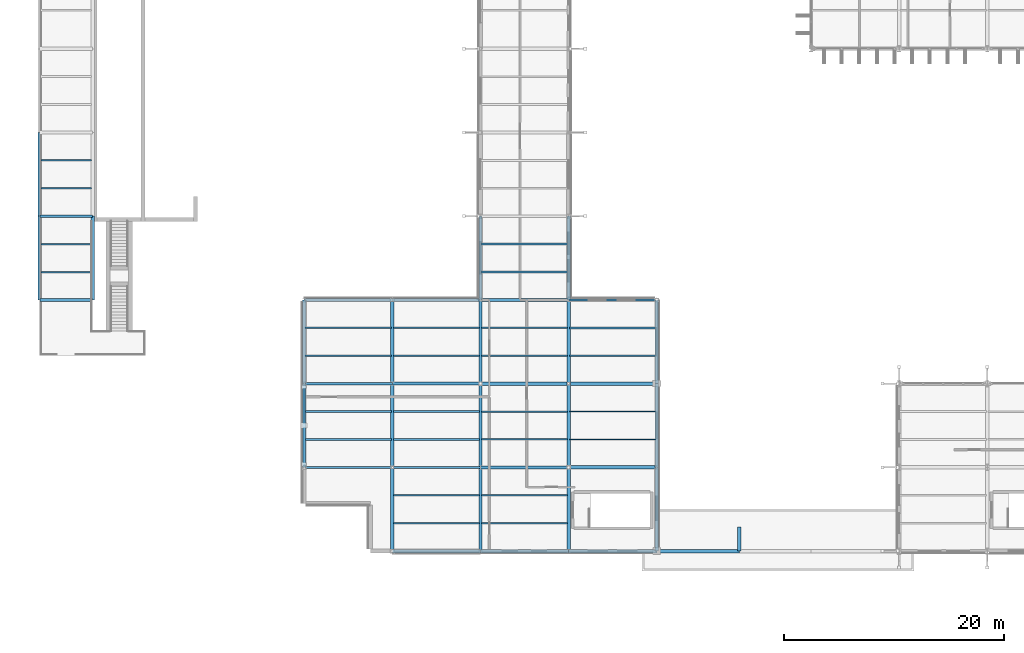
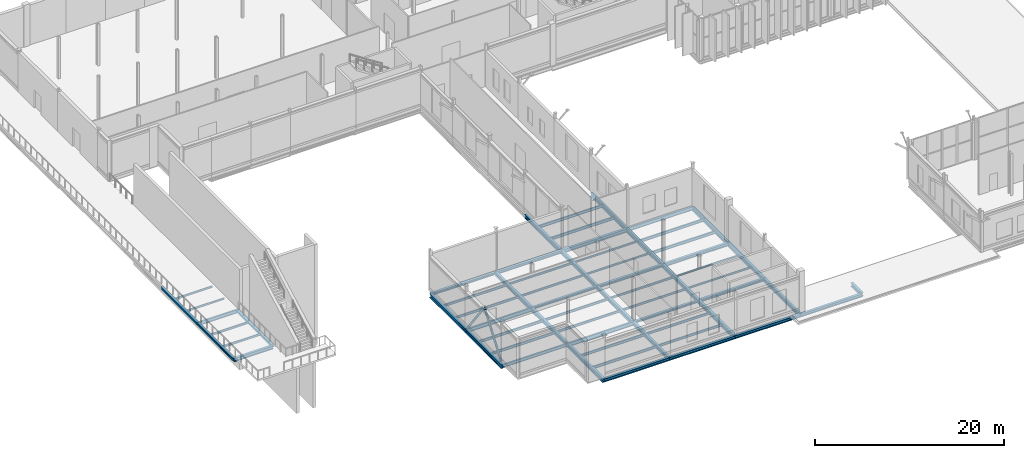
# One storey, part 25 of 147: 64 beams, 2 members.
"""IFC4 building model written with IfcOpenShell, lengths in metres."""

from ifc_helpers import new_model, si_unit, direction, frame, origin, origin_2d, place, context, subcontext, project, spatial, hollow_circle, i_section, extrude, material, material_profile, profile_set, type_object, element, save


model = new_model("IFC4")

# Units and contexts
model_context = context("Model", 3, precision=1e-05, world=origin(), true_north=direction((0.0, 1.0)))
body_context = subcontext(model_context, "Body", "Model", "MODEL_VIEW")
ifc_project = project(units=[si_unit("LENGTHUNIT", "METRE"), si_unit("AREAUNIT", "SQUARE_METRE"), si_unit("VOLUMEUNIT", "CUBIC_METRE"), si_unit("PLANEANGLEUNIT", "RADIAN"), si_unit("MASSUNIT", "GRAM", prefix="KILO")], contexts=[model_context])

# Site, building, storey
site_placement = place(None, origin())
site = spatial("IfcSite", under=ifc_project, at=site_placement, CompositionType="ELEMENT")
building_placement = place(site_placement, origin())
building = spatial("IfcBuilding", under=site, at=building_placement, Name="Vekula Escarpment Museum", CompositionType="ELEMENT")
storey_placement = place(building_placement, frame((0.0, 0.0, 7.800048828125)))
storey = spatial("IfcBuildingStorey", under=building, at=storey_placement, Name="L02", CompositionType="ELEMENT", Elevation=7.800048828125)

# Beams
ifc_material_1 = material(Name="Steel S355", Category="steel")
ifc_material_profile_1 = material_profile(ifc_material_1, i_section(OverallWidth=0.280029296875, OverallDepth=0.280029296875, WebThickness=0.010498046875, FlangeThickness=0.01806640625, FilletRadius=0.02392578125, at=origin_2d()), Name="HEB 280")
ifc_profile_set_1 = profile_set([ifc_material_profile_1], Name="Steel S355")
beam_type_1 = type_object("IfcBeamType", Name="BM-GIRD-HEB280", PredefinedType="BEAM", material=ifc_profile_set_1)
for number, where, z_axis, x_axis, name in (
    (1, (40.0, 7.60009765625, -0.400146484375), (1.0, 0.0, 0.0), (0.0, 1.0, 0.0), "Beam X L02 0801"),
    (2, (32.0, 15.199951171875, -0.400146484375), (1.0, 0.0, 0.0), (0.0, 1.0, 0.0), "Beam X L02 0814"),
):
    element("IfcBeam", number, at=place(storey_placement, frame(where, z_axis=z_axis, x_axis=x_axis)), inside=storey, type_object=beam_type_1, Name=name, PredefinedType="BEAM", context=body_context, shape_type="SweptSolid", body=[
        extrude(i_section(OverallWidth=0.280029296875, OverallDepth=0.280029296875, WebThickness=0.010498046875, FlangeThickness=0.01806640625, FilletRadius=0.02392578125, at=origin_2d()), origin(), (0.0, 0.0, 1.0), 8.0),
    ])
ifc_material_2 = material(Name="Steel S355", Category="steel")
ifc_material_profile_2 = material_profile(ifc_material_2, i_section(OverallWidth=0.300048828125, OverallDepth=0.300048828125, WebThickness=0.010986328125, FlangeThickness=0.01904296875, FilletRadius=0.027099609375, at=origin_2d()), Name="HEB 300")
ifc_profile_set_2 = profile_set([ifc_material_profile_2], Name="Steel S355")
beam_type_2 = type_object("IfcBeamType", Name="BM-GIRD-HEB300", PredefinedType="BEAM", material=ifc_profile_set_2)
beam_1_placement = place(storey_placement, frame((24.0, 22.800048828125, -0.41015625), z_axis=(1.0, 0.0, 0.0), x_axis=(0.0, 1.0, 0.0)))
element("IfcBeam", 3, at=beam_1_placement, inside=storey, type_object=beam_type_2, Name="Beam X L02 0828", PredefinedType="BEAM", context=body_context, shape_type="SweptSolid", body=[
    extrude(i_section(OverallWidth=0.300048828125, OverallDepth=0.300048828125, WebThickness=0.010986328125, FlangeThickness=0.01904296875, FilletRadius=0.027099609375, at=origin_2d()), origin(), (0.0, 0.0, 1.0), 8.0),
])
ifc_material_3 = material(Name="Steel S355", Category="steel")
ifc_material_profile_3 = material_profile(ifc_material_3, i_section(OverallWidth=0.300048828125, OverallDepth=0.320068359375, WebThickness=0.011474609375, FlangeThickness=0.0205078125, FilletRadius=0.027099609375, at=origin_2d()), Name="HEB 320")
ifc_profile_set_3 = profile_set([ifc_material_profile_3], Name="Steel S355")
beam_type_3 = type_object("IfcBeamType", Name="BM-GIRD-HEB320", PredefinedType="BEAM", material=ifc_profile_set_3)
for number, where, z_axis, x_axis, name in (
    (4, (48.0, 7.60009765625, -0.420166015625), (1.0, 0.0, 0.0), (0.0, 1.0, 0.0), "Beam X L02 0802"),
    (5, (40.0, 15.199951171875, -0.420166015625), (1.0, 0.0, 0.0), (0.0, 1.0, 0.0), "Beam X L02 0815"),
):
    element("IfcBeam", number, at=place(storey_placement, frame(where, z_axis=z_axis, x_axis=x_axis)), inside=storey, type_object=beam_type_3, Name=name, PredefinedType="BEAM", context=body_context, shape_type="SweptSolid", body=[
        extrude(i_section(OverallWidth=0.300048828125, OverallDepth=0.320068359375, WebThickness=0.011474609375, FlangeThickness=0.0205078125, FilletRadius=0.027099609375, at=origin_2d()), origin(), (0.0, 0.0, 1.0), 8.0),
    ])
ifc_material_4 = material(Name="Steel S355", Category="steel")
ifc_material_profile_4 = material_profile(ifc_material_4, i_section(OverallWidth=0.300048828125, OverallDepth=0.360107421875, WebThickness=0.012451171875, FlangeThickness=0.0224609375, FilletRadius=0.027099609375, at=origin_2d()), Name="HEB 360")
ifc_profile_set_4 = profile_set([ifc_material_profile_4], Name="Steel S355")
beam_type_4 = type_object("IfcBeamType", Name="BM-GIRD-HEB360", PredefinedType="BEAM", material=ifc_profile_set_4)
beam_2_placement = place(storey_placement, frame((32.0, 22.800048828125, -0.43994140625), z_axis=(1.0, 0.0, 0.0), x_axis=(0.0, 1.0, 0.0)))
element("IfcBeam", 6, at=beam_2_placement, inside=storey, type_object=beam_type_4, Name="Beam X L02 0829", PredefinedType="BEAM", context=body_context, shape_type="SweptSolid", body=[
    extrude(i_section(OverallWidth=0.300048828125, OverallDepth=0.360107421875, WebThickness=0.012451171875, FlangeThickness=0.0224609375, FilletRadius=0.027099609375, at=origin_2d()), origin(), (0.0, 0.0, 1.0), 8.0),
])
ifc_material_5 = material(Name="Steel S355", Category="steel")
ifc_material_profile_5 = material_profile(ifc_material_5, i_section(OverallWidth=0.300048828125, OverallDepth=0.39990234375, WebThickness=0.013427734375, FlangeThickness=0.02392578125, FilletRadius=0.027099609375, at=origin_2d()), Name="HEB 400")
ifc_profile_set_5 = profile_set([ifc_material_profile_5], Name="Steel S355")
beam_type_5 = type_object("IfcBeamType", Name="BM-GIRD-HEB400", PredefinedType="BEAM", material=ifc_profile_set_5)
beam_3_placement = place(storey_placement, frame((48.0, 15.199951171875, -0.4599609375), z_axis=(1.0, 0.0, 0.0), x_axis=(0.0, 1.0, 0.0)))
element("IfcBeam", 7, at=beam_3_placement, inside=storey, type_object=beam_type_5, Name="Beam X L02 0816", PredefinedType="BEAM", context=body_context, shape_type="SweptSolid", body=[
    extrude(i_section(OverallWidth=0.300048828125, OverallDepth=0.39990234375, WebThickness=0.013427734375, FlangeThickness=0.02392578125, FilletRadius=0.027099609375, at=origin_2d()), origin(), (0.0, 0.0, 1.0), 8.0),
])
ifc_material_6 = material(Name="Steel S355", Category="steel")
ifc_material_profile_6 = material_profile(ifc_material_6, i_section(OverallWidth=0.300048828125, OverallDepth=0.449951171875, WebThickness=0.013916015625, FlangeThickness=0.02587890625, FilletRadius=0.027099609375, at=origin_2d()), Name="HEB 450")
ifc_profile_set_6 = profile_set([ifc_material_profile_6], Name="Steel S355")
beam_type_6 = type_object("IfcBeamType", Name="BM-GIRD-HEB450", PredefinedType="BEAM", material=ifc_profile_set_6)
beam_4_placement = place(storey_placement, frame((0.0, 22.800048828125, -0.445068359375), z_axis=(1.0, 0.0, 0.0), x_axis=(0.0, 1.0, 0.0)))
element("IfcBeam", 8, at=beam_4_placement, inside=storey, type_object=beam_type_6, Name="Beam X L02 0827", PredefinedType="BEAM", context=body_context, shape_type="SweptSolid", body=[
    extrude(i_section(OverallWidth=0.300048828125, OverallDepth=0.449951171875, WebThickness=0.013916015625, FlangeThickness=0.02587890625, FilletRadius=0.027099609375, at=origin_2d()), origin(), (0.0, 0.0, 1.0), 4.800048828125),
])
beam_5_placement = place(storey_placement, frame((40.0, 22.800048828125, -0.485107421875), z_axis=(1.0, 0.0, 0.0), x_axis=(0.0, 1.0, 0.0)))
element("IfcBeam", 9, at=beam_5_placement, inside=storey, type_object=beam_type_6, Name="Beam X L02 0830", PredefinedType="BEAM", context=body_context, shape_type="SweptSolid", body=[
    extrude(i_section(OverallWidth=0.300048828125, OverallDepth=0.449951171875, WebThickness=0.013916015625, FlangeThickness=0.02587890625, FilletRadius=0.027099609375, at=origin_2d()), origin(), (0.0, 0.0, 1.0), 8.0),
])
ifc_material_7 = material(Name="Steel S355", Category="steel")
ifc_material_profile_7 = material_profile(ifc_material_7, i_section(OverallWidth=0.300048828125, OverallDepth=0.5, WebThickness=0.014404296875, FlangeThickness=0.028076171875, FilletRadius=0.027099609375, at=origin_2d()), Name="HEB 500")
ifc_profile_set_7 = profile_set([ifc_material_profile_7], Name="Steel S355")
beam_type_7 = type_object("IfcBeamType", Name="BM-GIRD-HEB500", PredefinedType="BEAM", material=ifc_profile_set_7)
beam_6_placement = place(storey_placement, frame((24.0, 7.60009765625, -0.510009765625), z_axis=(0.0, 1.0, 0.0), x_axis=(-1.0, 0.0, 0.0)))
element("IfcBeam", 10, at=beam_6_placement, inside=storey, type_object=beam_type_7, Name="Beam Y L02 1060", PredefinedType="BEAM", context=body_context, shape_type="SweptSolid", body=[
    extrude(i_section(OverallWidth=0.300048828125, OverallDepth=0.5, WebThickness=0.014404296875, FlangeThickness=0.028076171875, FilletRadius=0.027099609375, at=origin_2d()), origin(), (0.0, 0.0, 1.0), 7.599853515625),
])
for number, where, z_axis, x_axis, name in (
    (11, (24.0, 15.199951171875, -0.510009765625), (0.0, 1.0, 0.0), (-1.0, 0.0, 0.0), "Beam Y L02 1061"),
    (12, (32.0, 0.0, -0.510009765625), (0.0, 1.0, 0.0), (-1.0, 0.0, 0.0), "Beam Y L02 1069"),
):
    element("IfcBeam", number, at=place(storey_placement, frame(where, z_axis=z_axis, x_axis=x_axis)), inside=storey, type_object=beam_type_7, Name=name, PredefinedType="BEAM", context=body_context, shape_type="SweptSolid", body=[
        extrude(i_section(OverallWidth=0.300048828125, OverallDepth=0.5, WebThickness=0.014404296875, FlangeThickness=0.028076171875, FilletRadius=0.027099609375, at=origin_2d()), origin(), (0.0, 0.0, 1.0), 7.60009765625),
    ])
beam_7_placement = place(storey_placement, frame((32.0, 7.60009765625, -0.510009765625), z_axis=(0.0, 1.0, 0.0), x_axis=(-1.0, 0.0, 0.0)))
element("IfcBeam", 13, at=beam_7_placement, inside=storey, type_object=beam_type_7, Name="Beam Y L02 1070", PredefinedType="BEAM", context=body_context, shape_type="SweptSolid", body=[
    extrude(i_section(OverallWidth=0.300048828125, OverallDepth=0.5, WebThickness=0.014404296875, FlangeThickness=0.028076171875, FilletRadius=0.027099609375, at=origin_2d()), origin(), (0.0, 0.0, 1.0), 7.599853515625),
])
for number, where, z_axis, x_axis, name in (
    (14, (32.0, 15.199951171875, -0.510009765625), (0.0, 1.0, 0.0), (-1.0, 0.0, 0.0), "Beam Y L02 1071"),
    (15, (40.0, 0.0, -0.510009765625), (0.0, 1.0, 0.0), (-1.0, 0.0, 0.0), "Beam Y L02 1079"),
):
    element("IfcBeam", number, at=place(storey_placement, frame(where, z_axis=z_axis, x_axis=x_axis)), inside=storey, type_object=beam_type_7, Name=name, PredefinedType="BEAM", context=body_context, shape_type="SweptSolid", body=[
        extrude(i_section(OverallWidth=0.300048828125, OverallDepth=0.5, WebThickness=0.014404296875, FlangeThickness=0.028076171875, FilletRadius=0.027099609375, at=origin_2d()), origin(), (0.0, 0.0, 1.0), 7.60009765625),
    ])
beam_8_placement = place(storey_placement, frame((40.0, 7.60009765625, -0.510009765625), z_axis=(0.0, 1.0, 0.0), x_axis=(-1.0, 0.0, 0.0)))
element("IfcBeam", 16, at=beam_8_placement, inside=storey, type_object=beam_type_7, Name="Beam Y L02 1080", PredefinedType="BEAM", context=body_context, shape_type="SweptSolid", body=[
    extrude(i_section(OverallWidth=0.300048828125, OverallDepth=0.5, WebThickness=0.014404296875, FlangeThickness=0.028076171875, FilletRadius=0.027099609375, at=origin_2d()), origin(), (0.0, 0.0, 1.0), 7.599853515625),
])
beam_9_placement = place(storey_placement, frame((40.0, 15.199951171875, -0.510009765625), z_axis=(0.0, 1.0, 0.0), x_axis=(-1.0, 0.0, 0.0)))
element("IfcBeam", 17, at=beam_9_placement, inside=storey, type_object=beam_type_7, Name="Beam Y L02 1081", PredefinedType="BEAM", context=body_context, shape_type="SweptSolid", body=[
    extrude(i_section(OverallWidth=0.300048828125, OverallDepth=0.5, WebThickness=0.014404296875, FlangeThickness=0.028076171875, FilletRadius=0.027099609375, at=origin_2d()), origin(), (0.0, 0.0, 1.0), 7.60009765625),
])
beam_10_placement = place(storey_placement, frame((40.0, 22.800048828125, -0.510009765625), z_axis=(0.0, 1.0, 0.0), x_axis=(-1.0, 0.0, 0.0)))
element("IfcBeam", 18, at=beam_10_placement, inside=storey, type_object=beam_type_7, Name="Beam Y L02 1082", PredefinedType="BEAM", context=body_context, shape_type="SweptSolid", body=[
    extrude(i_section(OverallWidth=0.300048828125, OverallDepth=0.5, WebThickness=0.014404296875, FlangeThickness=0.028076171875, FilletRadius=0.027099609375, at=origin_2d()), origin(), (0.0, 0.0, 1.0), 7.599853515625),
])
beam_11_placement = place(storey_placement, frame((48.0, 0.0, -0.510009765625), z_axis=(0.0, 1.0, 0.0), x_axis=(-1.0, 0.0, 0.0)))
element("IfcBeam", 19, at=beam_11_placement, inside=storey, type_object=beam_type_7, Name="Beam Y L02 1097", PredefinedType="BEAM", context=body_context, shape_type="SweptSolid", body=[
    extrude(i_section(OverallWidth=0.300048828125, OverallDepth=0.5, WebThickness=0.014404296875, FlangeThickness=0.028076171875, FilletRadius=0.027099609375, at=origin_2d()), origin(), (0.0, 0.0, 1.0), 7.60009765625),
])
beam_12_placement = place(storey_placement, frame((48.0, 7.60009765625, -0.510009765625), z_axis=(0.0, 1.0, 0.0), x_axis=(-1.0, 0.0, 0.0)))
element("IfcBeam", 20, at=beam_12_placement, inside=storey, type_object=beam_type_7, Name="Beam Y L02 1098", PredefinedType="BEAM", context=body_context, shape_type="SweptSolid", body=[
    extrude(i_section(OverallWidth=0.300048828125, OverallDepth=0.5, WebThickness=0.014404296875, FlangeThickness=0.028076171875, FilletRadius=0.027099609375, at=origin_2d()), origin(), (0.0, 0.0, 1.0), 7.599853515625),
])
beam_13_placement = place(storey_placement, frame((48.0, 15.199951171875, -0.510009765625), z_axis=(0.0, 1.0, 0.0), x_axis=(-1.0, 0.0, 0.0)))
element("IfcBeam", 21, at=beam_13_placement, inside=storey, type_object=beam_type_7, Name="Beam Y L02 1099", PredefinedType="BEAM", context=body_context, shape_type="SweptSolid", body=[
    extrude(i_section(OverallWidth=0.300048828125, OverallDepth=0.5, WebThickness=0.014404296875, FlangeThickness=0.028076171875, FilletRadius=0.027099609375, at=origin_2d()), origin(), (0.0, 0.0, 1.0), 7.60009765625),
])
beam_14_placement = place(storey_placement, frame((48.0, 22.800048828125, -0.510009765625), z_axis=(0.0, 1.0, 0.0), x_axis=(-1.0, 0.0, 0.0)))
element("IfcBeam", 22, at=beam_14_placement, inside=storey, type_object=beam_type_7, Name="Beam Y L02 1100", PredefinedType="BEAM", context=body_context, shape_type="SweptSolid", body=[
    extrude(i_section(OverallWidth=0.300048828125, OverallDepth=0.5, WebThickness=0.014404296875, FlangeThickness=0.028076171875, FilletRadius=0.027099609375, at=origin_2d()), origin(), (0.0, 0.0, 1.0), 7.599853515625),
])
beam_15_placement = place(storey_placement, frame((56.0, 0.0, -0.510009765625), z_axis=(0.0, 1.0, 0.0), x_axis=(-1.0, 0.0, 0.0)))
element("IfcBeam", 23, at=beam_15_placement, inside=storey, type_object=beam_type_7, Name="Beam Y L02 1115", PredefinedType="BEAM", context=body_context, shape_type="SweptSolid", body=[
    extrude(i_section(OverallWidth=0.300048828125, OverallDepth=0.5, WebThickness=0.014404296875, FlangeThickness=0.028076171875, FilletRadius=0.027099609375, at=origin_2d()), origin(), (0.0, 0.0, 1.0), 7.60009765625),
])
beam_16_placement = place(storey_placement, frame((56.0, 7.60009765625, -0.510009765625), z_axis=(0.0, 1.0, 0.0), x_axis=(-1.0, 0.0, 0.0)))
element("IfcBeam", 24, at=beam_16_placement, inside=storey, type_object=beam_type_7, Name="Beam Y L02 1116", PredefinedType="BEAM", context=body_context, shape_type="SweptSolid", body=[
    extrude(i_section(OverallWidth=0.300048828125, OverallDepth=0.5, WebThickness=0.014404296875, FlangeThickness=0.028076171875, FilletRadius=0.027099609375, at=origin_2d()), origin(), (0.0, 0.0, 1.0), 7.599853515625),
])
beam_17_placement = place(storey_placement, frame((56.0, 15.199951171875, -0.510009765625), z_axis=(0.0, 1.0, 0.0), x_axis=(-1.0, 0.0, 0.0)))
element("IfcBeam", 25, at=beam_17_placement, inside=storey, type_object=beam_type_7, Name="Beam Y L02 1117", PredefinedType="BEAM", context=body_context, shape_type="SweptSolid", body=[
    extrude(i_section(OverallWidth=0.300048828125, OverallDepth=0.5, WebThickness=0.014404296875, FlangeThickness=0.028076171875, FilletRadius=0.027099609375, at=origin_2d()), origin(), (0.0, 0.0, 1.0), 7.60009765625),
])
beam_18_placement = place(storey_placement, frame((63.5, 0.0, -0.449951171875), z_axis=(0.0, 1.0, 0.0), x_axis=(-1.0, 0.0, 0.0)))
element("IfcBeam", 26, at=beam_18_placement, inside=storey, type_object=beam_type_7, Name="Beam Y L02 1125", PredefinedType="BEAM", context=body_context, shape_type="SweptSolid", body=[
    extrude(i_section(OverallWidth=0.300048828125, OverallDepth=0.5, WebThickness=0.014404296875, FlangeThickness=0.028076171875, FilletRadius=0.027099609375, at=origin_2d()), origin(), (0.0, 0.0, 1.0), 2.199951171875),
])
ifc_material_8 = material(Name="Steel S355", Category="steel")
ifc_material_profile_8 = material_profile(ifc_material_8, i_section(OverallWidth=0.179931640625, OverallDepth=0.39990234375, WebThickness=0.008544921875, FlangeThickness=0.013427734375, FilletRadius=0.02099609375, at=origin_2d()), Name="IPE 400")
ifc_profile_set_8 = profile_set([ifc_material_profile_8], Name="Steel S355")
beam_type_8 = type_object("IfcBeamType", Name="BM-GIRD-IPE400", PredefinedType="BEAM", material=ifc_profile_set_8)
beam_19_placement = place(storey_placement, frame((24.0, 7.60009765625, -0.4599609375), z_axis=(1.0, 0.0, 0.0), x_axis=(0.0, 1.0, 0.0)))
element("IfcBeam", 27, at=beam_19_placement, inside=storey, type_object=beam_type_8, Name="Beam X L02 0799", PredefinedType="BEAM", context=body_context, shape_type="SweptSolid", body=[
    extrude(i_section(OverallWidth=0.179931640625, OverallDepth=0.39990234375, WebThickness=0.008544921875, FlangeThickness=0.013427734375, FilletRadius=0.02099609375, at=origin_2d()), origin(), (0.0, 0.0, 1.0), 8.0),
])
ifc_material_9 = material(Name="Steel S355", Category="steel")
ifc_material_profile_9 = material_profile(ifc_material_9, i_section(OverallWidth=0.18994140625, OverallDepth=0.449951171875, WebThickness=0.009521484375, FlangeThickness=0.0146484375, FilletRadius=0.02099609375, at=origin_2d()), Name="IPE 450")
ifc_profile_set_9 = profile_set([ifc_material_profile_9], Name="Steel S355")
beam_type_9 = type_object("IfcBeamType", Name="BM-GIRD-IPE450", PredefinedType="BEAM", material=ifc_profile_set_9)
beam_20_placement = place(storey_placement, frame((48.0, 22.800048828125, -0.485107421875), z_axis=(1.0, 0.0, 0.0), x_axis=(0.0, 1.0, 0.0)))
element("IfcBeam", 28, at=beam_20_placement, inside=storey, type_object=beam_type_9, Name="Beam X L02 0831", PredefinedType="BEAM", context=body_context, shape_type="SweptSolid", body=[
    extrude(i_section(OverallWidth=0.18994140625, OverallDepth=0.449951171875, WebThickness=0.009521484375, FlangeThickness=0.0146484375, FilletRadius=0.02099609375, at=origin_2d()), origin(), (0.0, 0.0, 1.0), 8.0),
])
beam_21_placement = place(storey_placement, frame((0.0, 30.39990234375, -0.445068359375), z_axis=(1.0, 0.0, 0.0), x_axis=(0.0, 1.0, 0.0)))
element("IfcBeam", 29, at=beam_21_placement, inside=storey, type_object=beam_type_9, Name="Beam X L02 0834", PredefinedType="BEAM", context=body_context, shape_type="SweptSolid", body=[
    extrude(i_section(OverallWidth=0.18994140625, OverallDepth=0.449951171875, WebThickness=0.009521484375, FlangeThickness=0.0146484375, FilletRadius=0.02099609375, at=origin_2d()), origin(), (0.0, 0.0, 1.0), 4.800048828125),
])
ifc_material_10 = material(Name="Steel S355", Category="steel")
ifc_material_profile_10 = material_profile(ifc_material_10, i_section(OverallWidth=0.199951171875, OverallDepth=0.5, WebThickness=0.01025390625, FlangeThickness=0.01611328125, FilletRadius=0.02099609375, at=origin_2d()), Name="IPE 500")
ifc_profile_set_10 = profile_set([ifc_material_profile_10], Name="Steel S355")
beam_type_10 = type_object("IfcBeamType", Name="BM-GIRD-IPE500", PredefinedType="BEAM", material=ifc_profile_set_10)
for number, where, z_axis, x_axis, name in (
    (30, (32.0, 7.60009765625, -0.510009765625), (1.0, 0.0, 0.0), (0.0, 1.0, 0.0), "Beam X L02 0800"),
    (31, (24.0, 15.199951171875, -0.510009765625), (1.0, 0.0, 0.0), (0.0, 1.0, 0.0), "Beam X L02 0813"),
):
    element("IfcBeam", number, at=place(storey_placement, frame(where, z_axis=z_axis, x_axis=x_axis)), inside=storey, type_object=beam_type_10, Name=name, PredefinedType="BEAM", context=body_context, shape_type="SweptSolid", body=[
        extrude(i_section(OverallWidth=0.199951171875, OverallDepth=0.5, WebThickness=0.01025390625, FlangeThickness=0.01611328125, FilletRadius=0.02099609375, at=origin_2d()), origin(), (0.0, 0.0, 1.0), 8.0),
    ])
ifc_material_11 = material(Name="Steel S355", Category="steel")
ifc_material_profile_11 = material_profile(ifc_material_11, i_section(OverallWidth=0.1201171875, OverallDepth=0.239990234375, WebThickness=0.006103515625, FlangeThickness=0.009765625, FilletRadius=0.014892578125, at=origin_2d()), Name="IPE 240")
ifc_profile_set_11 = profile_set([ifc_material_profile_11], Name="Steel S355")
beam_type_11 = type_object("IfcBeamType", Name="BM-JST-IPE240", PredefinedType="JOIST", material=ifc_profile_set_11)
for number, where, z_axis, x_axis, name in (
    (32, (0.090087890625, 32.933349609375, -0.340087890625), (1.0, 0.0, 0.0), (0.0, 1.0, 0.0), "Secondary Joist L02 0597"),
    (33, (0.090087890625, 35.466796875, -0.340087890625), (1.0, 0.0, 0.0), (0.0, 1.0, 0.0), "Secondary Joist L02 0598"),
):
    element("IfcBeam", number, at=place(storey_placement, frame(where, z_axis=z_axis, x_axis=x_axis)), inside=storey, type_object=beam_type_11, Name=name, PredefinedType="JOIST", context=body_context, shape_type="SweptSolid", body=[
        extrude(i_section(OverallWidth=0.1201171875, OverallDepth=0.239990234375, WebThickness=0.006103515625, FlangeThickness=0.009765625, FilletRadius=0.014892578125, at=origin_2d()), origin(), (0.0, 0.0, 1.0), 4.619873046875),
    ])
for number, where, z_axis, x_axis, name in (
    (34, (40.090087890625, 17.7333984375, -0.380126953125), (1.0, 0.0, 0.0), (0.0, 1.0, 0.0), "Secondary Joist L02 0687"),
    (35, (40.090087890625, 20.2666015625, -0.380126953125), (1.0, 0.0, 0.0), (0.0, 1.0, 0.0), "Secondary Joist L02 0688"),
    (36, (48.090087890625, 10.13330078125, -0.380126953125), (1.0, 0.0, 0.0), (0.0, 1.0, 0.0), "Secondary Joist L02 0715"),
    (37, (48.090087890625, 12.666748046875, -0.380126953125), (1.0, 0.0, 0.0), (0.0, 1.0, 0.0), "Secondary Joist L02 0716"),
):
    element("IfcBeam", number, at=place(storey_placement, frame(where, z_axis=z_axis, x_axis=x_axis)), inside=storey, type_object=beam_type_11, Name=name, PredefinedType="JOIST", context=body_context, shape_type="SweptSolid", body=[
        extrude(i_section(OverallWidth=0.1201171875, OverallDepth=0.239990234375, WebThickness=0.006103515625, FlangeThickness=0.009765625, FilletRadius=0.014892578125, at=origin_2d()), origin(), (0.0, 0.0, 1.0), 7.81982421875),
    ])
ifc_material_12 = material(Name="Steel S355", Category="steel")
ifc_material_profile_12 = material_profile(ifc_material_12, i_section(OverallWidth=0.135009765625, OverallDepth=0.27001953125, WebThickness=0.006591796875, FlangeThickness=0.01025390625, FilletRadius=0.014892578125, at=origin_2d()), Name="IPE 270")
ifc_profile_set_12 = profile_set([ifc_material_profile_12], Name="Steel S355")
beam_type_12 = type_object("IfcBeamType", Name="BM-JST-IPE270", PredefinedType="JOIST", material=ifc_profile_set_12)
for number, where, z_axis, x_axis, name in (
    (38, (0.090087890625, 25.333251953125, -0.35498046875), (1.0, 0.0, 0.0), (0.0, 1.0, 0.0), "Secondary Joist L02 0595"),
    (39, (0.090087890625, 27.86669921875, -0.35498046875), (1.0, 0.0, 0.0), (0.0, 1.0, 0.0), "Secondary Joist L02 0596"),
):
    element("IfcBeam", number, at=place(storey_placement, frame(where, z_axis=z_axis, x_axis=x_axis)), inside=storey, type_object=beam_type_12, Name=name, PredefinedType="JOIST", context=body_context, shape_type="SweptSolid", body=[
        extrude(i_section(OverallWidth=0.135009765625, OverallDepth=0.27001953125, WebThickness=0.006591796875, FlangeThickness=0.01025390625, FilletRadius=0.014892578125, at=origin_2d()), origin(), (0.0, 0.0, 1.0), 4.619873046875),
    ])
for number, where, z_axis, x_axis, name in (
    (40, (32.090087890625, 17.7333984375, -0.39501953125), (1.0, 0.0, 0.0), (0.0, 1.0, 0.0), "Secondary Joist L02 0672"),
    (41, (32.090087890625, 20.2666015625, -0.39501953125), (1.0, 0.0, 0.0), (0.0, 1.0, 0.0), "Secondary Joist L02 0673"),
    (42, (40.090087890625, 10.13330078125, -0.39501953125), (1.0, 0.0, 0.0), (0.0, 1.0, 0.0), "Secondary Joist L02 0685"),
    (43, (40.090087890625, 12.666748046875, -0.39501953125), (1.0, 0.0, 0.0), (0.0, 1.0, 0.0), "Secondary Joist L02 0686"),
):
    element("IfcBeam", number, at=place(storey_placement, frame(where, z_axis=z_axis, x_axis=x_axis)), inside=storey, type_object=beam_type_12, Name=name, PredefinedType="JOIST", context=body_context, shape_type="SweptSolid", body=[
        extrude(i_section(OverallWidth=0.135009765625, OverallDepth=0.27001953125, WebThickness=0.006591796875, FlangeThickness=0.01025390625, FilletRadius=0.014892578125, at=origin_2d()), origin(), (0.0, 0.0, 1.0), 7.81982421875),
    ])
ifc_material_13 = material(Name="Steel S355", Category="steel")
ifc_material_profile_13 = material_profile(ifc_material_13, i_section(OverallWidth=0.14990234375, OverallDepth=0.300048828125, WebThickness=0.007080078125, FlangeThickness=0.0107421875, FilletRadius=0.014892578125, at=origin_2d()), Name="IPE 300")
ifc_profile_set_13 = profile_set([ifc_material_profile_13], Name="Steel S355")
beam_type_13 = type_object("IfcBeamType", Name="BM-JST-IPE300", PredefinedType="JOIST", material=ifc_profile_set_13)
for number, where, z_axis, x_axis, name in (
    (44, (24.090087890625, 17.7333984375, -0.41015625), (1.0, 0.0, 0.0), (0.0, 1.0, 0.0), "Secondary Joist L02 0654"),
    (45, (24.090087890625, 20.2666015625, -0.41015625), (1.0, 0.0, 0.0), (0.0, 1.0, 0.0), "Secondary Joist L02 0655"),
    (46, (32.090087890625, 10.13330078125, -0.41015625), (1.0, 0.0, 0.0), (0.0, 1.0, 0.0), "Secondary Joist L02 0670"),
    (47, (32.090087890625, 12.666748046875, -0.41015625), (1.0, 0.0, 0.0), (0.0, 1.0, 0.0), "Secondary Joist L02 0671"),
    (48, (40.090087890625, 2.533203125, -0.41015625), (1.0, 0.0, 0.0), (0.0, 1.0, 0.0), "Secondary Joist L02 0683"),
    (49, (40.090087890625, 5.066650390625, -0.41015625), (1.0, 0.0, 0.0), (0.0, 1.0, 0.0), "Secondary Joist L02 0684"),
):
    element("IfcBeam", number, at=place(storey_placement, frame(where, z_axis=z_axis, x_axis=x_axis)), inside=storey, type_object=beam_type_13, Name=name, PredefinedType="JOIST", context=body_context, shape_type="SweptSolid", body=[
        extrude(i_section(OverallWidth=0.14990234375, OverallDepth=0.300048828125, WebThickness=0.007080078125, FlangeThickness=0.0107421875, FilletRadius=0.014892578125, at=origin_2d()), origin(), (0.0, 0.0, 1.0), 7.81982421875),
    ])
ifc_material_14 = material(Name="Steel S355", Category="steel")
ifc_material_profile_14 = material_profile(ifc_material_14, i_section(OverallWidth=0.159912109375, OverallDepth=0.330078125, WebThickness=0.007568359375, FlangeThickness=0.011474609375, FilletRadius=0.01806640625, at=origin_2d()), Name="IPE 330")
ifc_profile_set_14 = profile_set([ifc_material_profile_14], Name="Steel S355")
beam_type_14 = type_object("IfcBeamType", Name="BM-JST-IPE330", PredefinedType="JOIST", material=ifc_profile_set_14)
for number, where, z_axis, x_axis, name in (
    (50, (24.090087890625, 10.13330078125, -0.425048828125), (1.0, 0.0, 0.0), (0.0, 1.0, 0.0), "Secondary Joist L02 0652"),
    (51, (24.090087890625, 12.666748046875, -0.425048828125), (1.0, 0.0, 0.0), (0.0, 1.0, 0.0), "Secondary Joist L02 0653"),
    (52, (32.090087890625, 2.533203125, -0.425048828125), (1.0, 0.0, 0.0), (0.0, 1.0, 0.0), "Secondary Joist L02 0668"),
    (53, (32.090087890625, 5.066650390625, -0.425048828125), (1.0, 0.0, 0.0), (0.0, 1.0, 0.0), "Secondary Joist L02 0669"),
):
    element("IfcBeam", number, at=place(storey_placement, frame(where, z_axis=z_axis, x_axis=x_axis)), inside=storey, type_object=beam_type_14, Name=name, PredefinedType="JOIST", context=body_context, shape_type="SweptSolid", body=[
        extrude(i_section(OverallWidth=0.159912109375, OverallDepth=0.330078125, WebThickness=0.007568359375, FlangeThickness=0.011474609375, FilletRadius=0.01806640625, at=origin_2d()), origin(), (0.0, 0.0, 1.0), 7.81982421875),
    ])
ifc_material_15 = material(Name="Steel S355", Category="steel")
ifc_material_profile_15 = material_profile(ifc_material_15, i_section(OverallWidth=0.169921875, OverallDepth=0.360107421875, WebThickness=0.008056640625, FlangeThickness=0.0126953125, FilletRadius=0.01806640625, at=origin_2d()), Name="IPE 360")
ifc_profile_set_15 = profile_set([ifc_material_profile_15], Name="Steel S355")
beam_type_15 = type_object("IfcBeamType", Name="BM-JST-IPE360", PredefinedType="JOIST", material=ifc_profile_set_15)
for number, where, z_axis, x_axis, name in (
    (54, (40.090087890625, 25.333251953125, -0.43994140625), (1.0, 0.0, 0.0), (0.0, 1.0, 0.0), "Secondary Joist L02 0689"),
    (55, (40.090087890625, 27.86669921875, -0.43994140625), (1.0, 0.0, 0.0), (0.0, 1.0, 0.0), "Secondary Joist L02 0690"),
    (56, (48.090087890625, 17.7333984375, -0.43994140625), (1.0, 0.0, 0.0), (0.0, 1.0, 0.0), "Secondary Joist L02 0717"),
    (57, (48.090087890625, 20.2666015625, -0.43994140625), (1.0, 0.0, 0.0), (0.0, 1.0, 0.0), "Secondary Joist L02 0718"),
):
    element("IfcBeam", number, at=place(storey_placement, frame(where, z_axis=z_axis, x_axis=x_axis)), inside=storey, type_object=beam_type_15, Name=name, PredefinedType="JOIST", context=body_context, shape_type="SweptSolid", body=[
        extrude(i_section(OverallWidth=0.169921875, OverallDepth=0.360107421875, WebThickness=0.008056640625, FlangeThickness=0.0126953125, FilletRadius=0.01806640625, at=origin_2d()), origin(), (0.0, 0.0, 1.0), 7.81982421875),
    ])
ifc_material_16 = material(Name="Steel S355", Category="steel")
ifc_material_profile_16 = material_profile(ifc_material_16, i_section(OverallWidth=0.300048828125, OverallDepth=0.2900390625, WebThickness=0.008544921875, FlangeThickness=0.013916015625, FilletRadius=0.027099609375, at=origin_2d()), Name="HEA 300")
ifc_profile_set_16 = profile_set([ifc_material_profile_16], Name="Steel S355")
beam_type_16 = type_object("IfcBeamType", Name="BM-SPAN-HEA300", PredefinedType="SPANDREL", material=ifc_profile_set_16)
beam_22_placement = place(storey_placement, frame((0.0, 22.800048828125, -0.364990234375), z_axis=(0.0, 1.0, 0.0), x_axis=(-1.0, 0.0, 0.0)))
element("IfcBeam", 58, at=beam_22_placement, inside=storey, type_object=beam_type_16, Name="Beam Y L02 1021", PredefinedType="SPANDREL", context=body_context, shape_type="SweptSolid", body=[
    extrude(i_section(OverallWidth=0.300048828125, OverallDepth=0.2900390625, WebThickness=0.008544921875, FlangeThickness=0.013916015625, FilletRadius=0.027099609375, at=origin_2d()), origin(), (0.0, 0.0, 1.0), 7.599853515625),
])
beam_23_placement = place(storey_placement, frame((0.0, 30.39990234375, -0.364990234375), z_axis=(0.0, 1.0, 0.0), x_axis=(-1.0, 0.0, 0.0)))
element("IfcBeam", 59, at=beam_23_placement, inside=storey, type_object=beam_type_16, Name="Beam Y L02 1022", PredefinedType="SPANDREL", context=body_context, shape_type="SweptSolid", body=[
    extrude(i_section(OverallWidth=0.300048828125, OverallDepth=0.2900390625, WebThickness=0.008544921875, FlangeThickness=0.013916015625, FilletRadius=0.027099609375, at=origin_2d()), origin(), (0.0, 0.0, 1.0), 7.60009765625),
])
beam_24_placement = place(storey_placement, frame((4.800048828125, 22.800048828125, -0.364990234375), z_axis=(0.0, 1.0, 0.0), x_axis=(-1.0, 0.0, 0.0)))
element("IfcBeam", 60, at=beam_24_placement, inside=storey, type_object=beam_type_16, Name="Beam Y L02 1031", PredefinedType="SPANDREL", context=body_context, shape_type="SweptSolid", body=[
    extrude(i_section(OverallWidth=0.300048828125, OverallDepth=0.2900390625, WebThickness=0.008544921875, FlangeThickness=0.013916015625, FilletRadius=0.027099609375, at=origin_2d()), origin(), (0.0, 0.0, 1.0), 7.599853515625),
])
ifc_material_17 = material(Name="Steel S355", Category="steel")
ifc_material_profile_17 = material_profile(ifc_material_17, i_section(OverallWidth=0.300048828125, OverallDepth=0.389892578125, WebThickness=0.010986328125, FlangeThickness=0.01904296875, FilletRadius=0.027099609375, at=origin_2d()), Name="HEA 400")
ifc_profile_set_17 = profile_set([ifc_material_profile_17], Name="Steel S355")
beam_type_17 = type_object("IfcBeamType", Name="BM-SPAN-HEA400", PredefinedType="SPANDREL", material=ifc_profile_set_17)
for number, where, z_axis, x_axis, name in (
    (61, (32.0, 0.0, -0.455078125), (1.0, 0.0, 0.0), (0.0, 1.0, 0.0), "Beam X L02 0785"),
    (62, (40.0, 0.0, -0.455078125), (1.0, 0.0, 0.0), (0.0, 1.0, 0.0), "Beam X L02 0786"),
    (63, (48.0, 0.0, -0.455078125), (1.0, 0.0, 0.0), (0.0, 1.0, 0.0), "Beam X L02 0787"),
):
    element("IfcBeam", number, at=place(storey_placement, frame(where, z_axis=z_axis, x_axis=x_axis)), inside=storey, type_object=beam_type_17, Name=name, PredefinedType="SPANDREL", context=body_context, shape_type="SweptSolid", body=[
        extrude(i_section(OverallWidth=0.300048828125, OverallDepth=0.389892578125, WebThickness=0.010986328125, FlangeThickness=0.01904296875, FilletRadius=0.027099609375, at=origin_2d()), origin(), (0.0, 0.0, 1.0), 8.0),
    ])
beam_25_placement = place(storey_placement, frame((56.0, 0.0, -0.455078125), z_axis=(1.0, 0.0, 0.0), x_axis=(0.0, 1.0, 0.0)))
element("IfcBeam", 64, at=beam_25_placement, inside=storey, type_object=beam_type_17, Name="Beam X L02 0788", PredefinedType="SPANDREL", context=body_context, shape_type="SweptSolid", body=[
    extrude(i_section(OverallWidth=0.300048828125, OverallDepth=0.389892578125, WebThickness=0.010986328125, FlangeThickness=0.01904296875, FilletRadius=0.027099609375, at=origin_2d()), origin(), (0.0, 0.0, 1.0), 7.5),
])

# Members
ifc_material_18 = material(Name="Steel S355", Category="steel")
ifc_material_profile_18 = material_profile(ifc_material_18, hollow_circle(Radius=0.136474609375, WallThickness=0.012451171875, at=origin_2d()), Name="CHS 273x12.5")
ifc_profile_set_18 = profile_set([ifc_material_profile_18], Name="Steel S355")
member_type = type_object("IfcMemberType", Name="MB-CBF-BRACE1", PredefinedType="BRACE", material=ifc_profile_set_18)
member_1_placement = place(storey_placement, frame((24.0, 7.85009765625, 0.02001953125), z_axis=(0.0, 0.596207732533, 0.802830206001), x_axis=(-1.0, 0.0, 0.0)))
element("IfcMember", 65, at=member_1_placement, inside=storey, type_object=member_type, Name="Lateral Braced Frame L02-03L", PredefinedType="BRACE", context=body_context, shape_type="SweptSolid", body=[
    extrude(hollow_circle(Radius=0.136474609375, WallThickness=0.012451171875, at=origin_2d()), origin(), (0.0, 0.0, 1.0), 5.953857421875),
])
member_2_placement = place(storey_placement, frame((24.0, 14.949951171875, 0.02001953125), z_axis=(0.0, -0.596234160556, 0.80281057902), x_axis=(1.0, 0.0, 0.0)))
element("IfcMember", 66, at=member_2_placement, inside=storey, type_object=member_type, Name="Lateral Braced Frame L02-03R", PredefinedType="BRACE", context=body_context, shape_type="SweptSolid", body=[
    extrude(hollow_circle(Radius=0.136474609375, WallThickness=0.012451171875, at=origin_2d()), origin(), (0.0, 0.0, 1.0), 5.9541015625),
])

save(model, "model.ifc")
